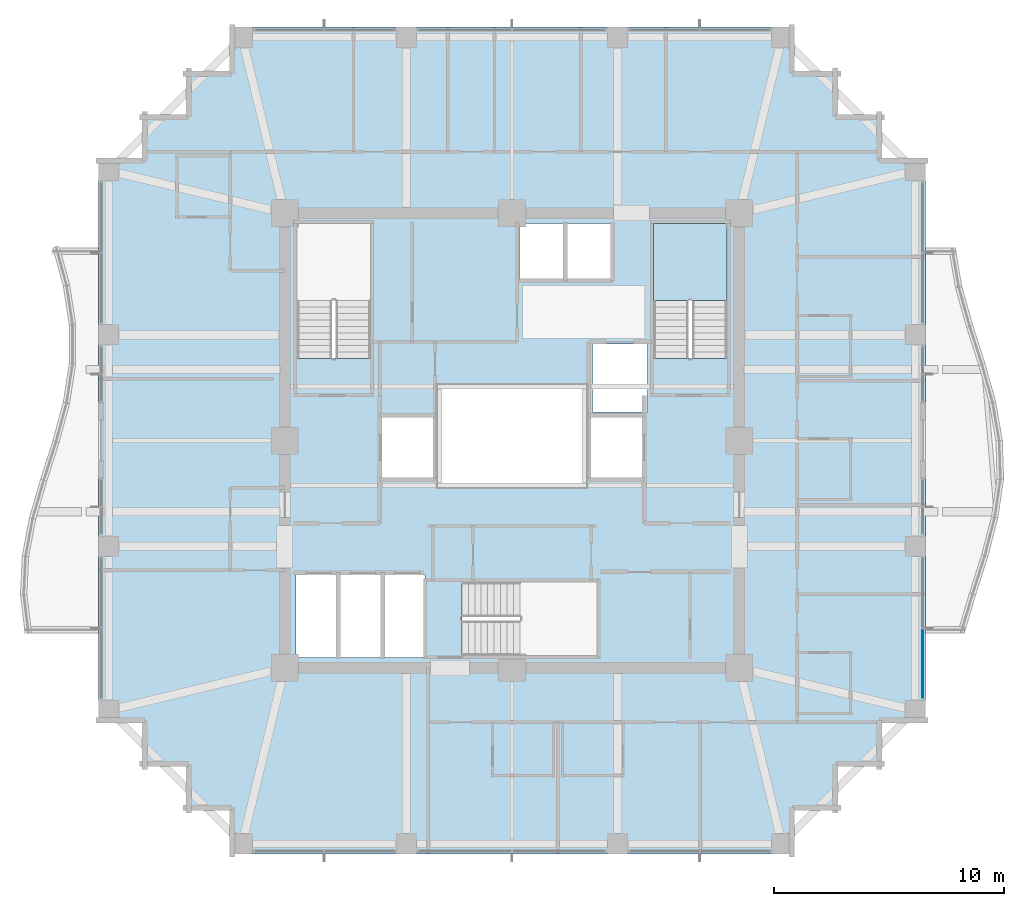
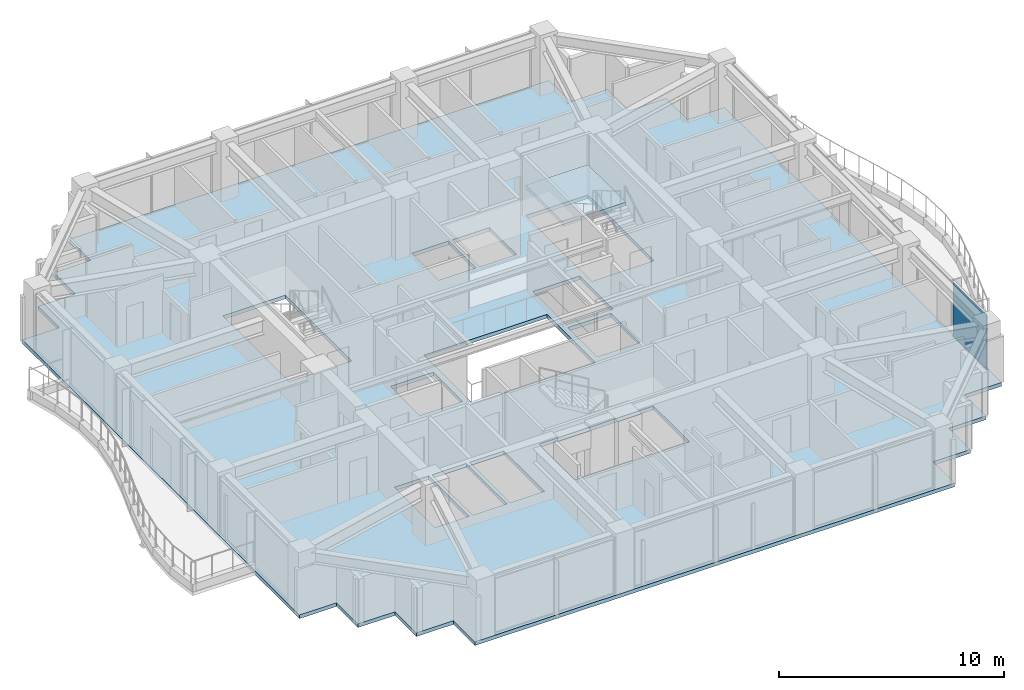
# One storey, part 25 of 33: 2 slabs, 1 plate, 2 elements without a shape of their own.
"""IFC4 building model written with IfcOpenShell, lengths in metres."""

from ifc_helpers import new_model, si_unit, direction, frame, origin, origin_2d, place, context, subcontext, project, spatial, polyline, rectangle, outline, extrude, material, layer, layer_set, type_object, element, aggregate, save


model = new_model("IFC4")

# Units and contexts
model_context = context("Model", 3, precision=1e-05, world=origin(), true_north=direction((0.0, 1.0)))
body_context = subcontext(model_context, "Body", "Model", "MODEL_VIEW")
ifc_project = project(units=[si_unit("LENGTHUNIT", "METRE"), si_unit("AREAUNIT", "SQUARE_METRE"), si_unit("VOLUMEUNIT", "CUBIC_METRE"), si_unit("PLANEANGLEUNIT", "RADIAN"), si_unit("MASSUNIT", "GRAM", prefix="KILO")], contexts=[model_context])

# Site, building, storey
site_placement = place(None, origin())
site = spatial("IfcSite", under=ifc_project, at=site_placement, CompositionType="ELEMENT")
building_placement = place(site_placement, origin())
building = spatial("IfcBuilding", under=site, at=building_placement, Name="Kolvaren Belvedere", CompositionType="ELEMENT")
storey_placement = place(building_placement, frame((0.0, 0.0, 128.300048828125)))
storey = spatial("IfcBuildingStorey", under=building, at=storey_placement, Name="L37", CompositionType="ELEMENT", Elevation=128.300048828125)

# Curtain wall, plate
ifc_material_1 = material(Name="Anodised pale-metal aluminium AA 6063-T6", Category="aluminium")
curtain_wall_type = type_object("IfcCurtainWallType", Name="CW-Z3-WAIST", PredefinedType="NOTDEFINED", material=ifc_material_1)
curtain_wall_placement = place(storey_placement, origin())
curtain_wall = element("IfcCurtainWall", 1, at=curtain_wall_placement, inside=storey, type_object=curtain_wall_type, Name="L37 Unitised Curtain Wall FCW-L37-E2-B2", PredefinedType="NOTDEFINED")
ifc_material_2 = material(Name="Low-iron triple insulated glass", Category="glass")
ifc_layer_1 = layer(ifc_material_2, 0.028076171875)
ifc_layer_set_1 = layer_set([ifc_layer_1], Name="Low-iron triple insulated glass")
plate_type = type_object("IfcPlateType", Name="CW-PNL-VIS28", PredefinedType="CURTAIN_PANEL", material=ifc_layer_set_1)
plate_placement = place(storey_placement, frame((17.8798828125, -9.711181640625, 0.080078125), z_axis=(0.0, 0.0, 1.0), x_axis=(0.0, -1.0, 0.0)))
plate = element("IfcPlate", 2, at=plate_placement, type_object=plate_type, Name="FCW-L37-E2-B2 Vision Glazing Panel 2", PredefinedType="CURTAIN_PANEL", context=body_context, shape_type="SweptSolid", body=[
    extrude(rectangle(XDim=2.992431640625, YDim=0.028076171875, at=origin_2d()), origin(), (0.0, 0.0, 1.0), 2.93994140625),
])
aggregate(curtain_wall, [plate])

# Slab
ifc_material_3 = material(Name="Concrete C50/60", Category="concrete")
ifc_layer_2 = layer(ifc_material_3, 0.199951171875)
ifc_layer_set_2 = layer_set([ifc_layer_2], Name="Concrete C50/60")
slab_type_1 = type_object("IfcSlabType", Name="SL-FLR-200", PredefinedType="FLOOR", material=ifc_layer_set_2)
slab_1_placement = place(storey_placement, frame((0.0, 0.0, -0.199951171875)))
element("IfcSlab", 3, at=slab_1_placement, inside=storey, type_object=slab_type_1, Name="L37 Primary Structural Slab", PredefinedType="FLOOR", context=body_context, shape_type="SweptSolid", body=[
    extrude(outline(polyline([(-12.300048828125, -18.0), (12.300048828125, -18.0), (12.300048828125, -16.10009765625), (14.199951171875, -16.10009765625), (14.199951171875, -14.199951171875), (16.10009765625, -14.199951171875), (16.10009765625, -12.300048828125), (18.0, -12.300048828125), (18.0, 12.300048828125), (16.10009765625, 12.300048828125), (16.10009765625, 14.199951171875), (14.199951171875, 14.199951171875), (14.199951171875, 16.10009765625), (12.300048828125, 16.10009765625), (12.300048828125, 18.0), (-12.300048828125, 18.0), (-12.300048828125, 16.10009765625), (-14.199951171875, 16.10009765625), (-14.199951171875, 14.199951171875), (-16.10009765625, 14.199951171875), (-16.10009765625, 12.300048828125), (-18.0, 12.300048828125), (-18.0, -12.300048828125), (-16.10009765625, -12.300048828125), (-16.10009765625, -14.199951171875), (-14.199951171875, -14.199951171875), (-14.199951171875, -16.10009765625), (-12.300048828125, -16.10009765625), (-12.300048828125, -18.0)]), holes=[polyline([(-9.35009765625, 3.580078125), (-6.159912109375, 3.580078125), (-6.159912109375, 9.449951171875), (-9.35009765625, 9.449951171875), (-9.35009765625, 3.580078125)]), polyline([(6.159912109375, 3.580078125), (9.35009765625, 3.580078125), (9.35009765625, 9.449951171875), (6.159912109375, 9.449951171875), (6.159912109375, 3.580078125)]), polyline([(-2.169921875, -9.35009765625), (3.699951171875, -9.35009765625), (3.699951171875, -6.159912109375), (-2.169921875, -6.159912109375), (-2.169921875, -9.35009765625)]), polyline([(-5.64990234375, -1.60009765625), (-3.449951171875, -1.60009765625), (-3.449951171875, 1.0), (-5.64990234375, 1.0), (-5.64990234375, -1.60009765625)]), polyline([(3.5, 1.25), (5.89990234375, 1.25), (5.89990234375, 4.199951171875), (3.5, 4.199951171875), (3.5, 1.25)]), polyline([(3.449951171875, -1.60009765625), (5.64990234375, -1.60009765625), (5.64990234375, 1.0), (3.449951171875, 1.0), (3.449951171875, -1.60009765625)]), polyline([(-9.39990234375, -9.449951171875), (-7.64990234375, -9.449951171875), (-7.64990234375, -5.85009765625), (-9.39990234375, -5.85009765625), (-9.39990234375, -9.449951171875)]), polyline([(-7.469970703125, -9.449951171875), (-5.719970703125, -9.449951171875), (-5.719970703125, -5.85009765625), (-7.469970703125, -5.85009765625), (-7.469970703125, -9.449951171875)]), polyline([(-5.5400390625, -9.449951171875), (-3.7900390625, -9.449951171875), (-3.7900390625, -5.85009765625), (-5.5400390625, -5.85009765625), (-5.5400390625, -9.449951171875)]), polyline([(0.320068359375, 7.050048828125), (2.219970703125, 7.050048828125), (2.219970703125, 9.449951171875), (0.320068359375, 9.449951171875), (0.320068359375, 7.050048828125)]), polyline([(2.39990234375, 7.050048828125), (4.300048828125, 7.050048828125), (4.300048828125, 9.449951171875), (2.39990234375, 9.449951171875), (2.39990234375, 7.050048828125)]), polyline([(-3.14990234375, -1.949951171875), (3.14990234375, -1.949951171875), (3.14990234375, 2.35009765625), (-3.14990234375, 2.35009765625), (-3.14990234375, -1.949951171875)])]), origin(), (0.0, 0.0, 1.0), 0.199951171875),
])

# Stair, slab
ifc_material_4 = material(Name="Concrete C50/60", Category="concrete")
stair_type = type_object("IfcStairType", Name="ST-CORE-1520", PredefinedType="HALF_TURN_STAIR", material=ifc_material_4)
stair_placement = place(storey_placement, origin())
stair = element("IfcStair", 4, at=stair_placement, inside=storey, type_object=stair_type, Name="L37 Protected Exit Stair ST-2", PredefinedType="HALF_TURN_STAIR")
ifc_material_5 = material(Name="Concrete C50/60", Category="concrete")
ifc_layer_3 = layer(ifc_material_5, 0.260009765625)
ifc_layer_set_3 = layer_set([ifc_layer_3], Name="Concrete C50/60")
slab_type_2 = type_object("IfcSlabType", Name="SL-LAND-260", PredefinedType="LANDING", material=ifc_layer_set_3)
slab_2_placement = place(storey_placement, frame((0.0, 0.0, 1.449951171875)))
slab_2 = element("IfcSlab", 5, at=slab_2_placement, type_object=slab_type_2, Name="ST-2 landing 1", PredefinedType="LANDING", context=body_context, shape_type="SweptSolid", body=[
    extrude(outline(polyline([(9.35009765625, 6.090087890625), (9.35009765625, 9.449951171875), (6.159912109375, 9.449951171875), (6.159912109375, 6.090087890625), (9.35009765625, 6.090087890625)])), origin(), (0.0, 0.0, 1.0), 0.199951171875),
])
aggregate(stair, [slab_2])

save(model, "model.ifc")
